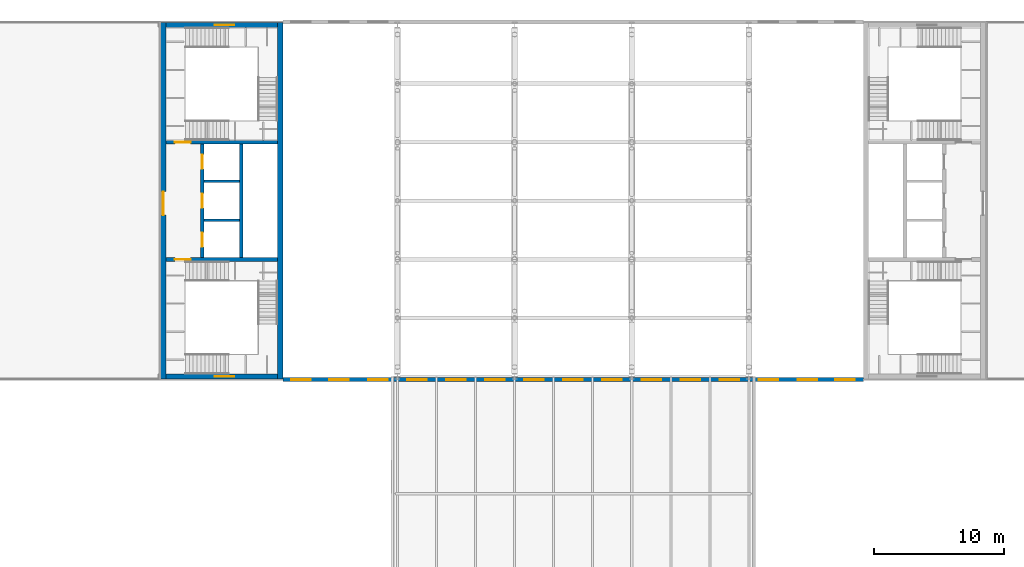
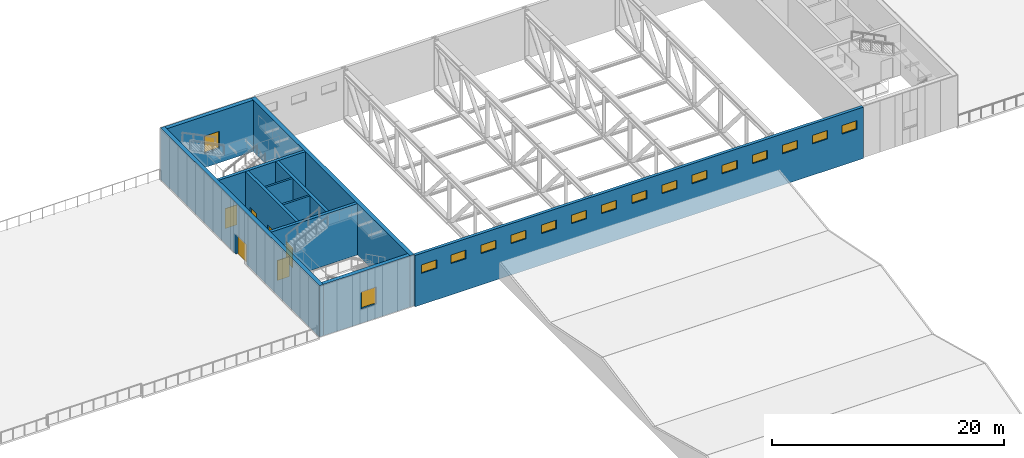
# One storey, part 21 of 29: 17 windows, 11 walls, 6 doors, 23 openings.
"""IFC4 building model written with IfcOpenShell, lengths in metres."""

from ifc_helpers import new_model, si_unit, direction, frame, frame_2d, origin, place, context, subcontext, project, spatial, rectangle, extrude, material, layer, layer_set, type_object, element, fill, save


model = new_model("IFC4")

# Units and contexts
model_context = context("Model", 3, precision=1e-05, world=origin(), true_north=direction((0.0, 1.0)))
body_context = subcontext(model_context, "Body", "Model", "MODEL_VIEW")
ifc_project = project(units=[si_unit("LENGTHUNIT", "METRE"), si_unit("AREAUNIT", "SQUARE_METRE"), si_unit("VOLUMEUNIT", "CUBIC_METRE"), si_unit("PLANEANGLEUNIT", "RADIAN"), si_unit("MASSUNIT", "GRAM", prefix="KILO")], contexts=[model_context])

# Site, building, storey
site_placement = place(None, origin())
site = spatial("IfcSite", under=ifc_project, at=site_placement, CompositionType="ELEMENT")
building_placement = place(site_placement, origin())
building = spatial("IfcBuilding", under=site, at=building_placement, Name="Azimuth Sports and Learning Centre", CompositionType="ELEMENT")
storey_placement = place(building_placement, frame((0.0, 0.0, 27.0)))
storey = spatial("IfcBuildingStorey", under=building, at=storey_placement, Name="L05", CompositionType="ELEMENT", Elevation=27.0)

# Walls
ifc_material_1 = material(Name="Dense masonry blockwork", Category="masonry")
ifc_layer_1 = layer(ifc_material_1, 0.199951171875)
ifc_layer_set_1 = layer_set([ifc_layer_1], Name="Dense masonry blockwork")
wall_type_1 = type_object("IfcWallType", Name="Blockwork wall 200 EI 120", PredefinedType="SOLIDWALL", material=ifc_layer_set_1)
for number, where, z_axis, x_axis, name in (
    (1, (57.14990234375, 102.0, 0.0), (0.0, 0.0, 1.0), (1.0, 0.0, 0.0), "SD-W-1-L05"),
    (2, (57.14990234375, 105.0, 0.0), (0.0, 0.0, 1.0), (1.0, 0.0, 0.0), "SD-W-2-L05"),
):
    element("IfcWall", number, at=place(storey_placement, frame(where, z_axis=z_axis, x_axis=x_axis)), inside=storey, type_object=wall_type_1, Name=name, PredefinedType="SOLIDWALL", context=body_context, shape_type="SweptSolid", body=[
        extrude(rectangle(XDim=2.7001953125, YDim=0.199951171875, at=frame_2d((1.35009765625, 0.0))), origin(), (0.0, 0.0, 1.0), 5.39990234375),
    ])

# Wall, openings, windows
ifc_material_2 = material(Name="Insulated cladding wall")
ifc_layer_2 = layer(ifc_material_2, 0.300048828125)
ifc_layer_set_2 = layer_set([ifc_layer_2], Name="Insulated cladding wall")
wall_type_2 = type_object("IfcWallType", Name="Hall cladding wall 300", PredefinedType="SOLIDWALL", material=ifc_layer_set_2)
wall_1_placement = place(storey_placement, frame((63.199951171875, 89.760009765625, 0.0), z_axis=(0.0, 0.0, 1.0), x_axis=(1.0, 0.0, 0.0)))
wall_1 = element("IfcWall", 3, at=wall_1_placement, inside=storey, type_object=wall_type_2, Name="Hall wall S-TT L05", PredefinedType="SOLIDWALL", context=body_context, shape_type="SweptSolid", body=[
    extrude(rectangle(XDim=44.60009765625, YDim=0.300048828125, at=frame_2d((22.300048828125, 0.0))), origin(), (0.0, 0.0, 1.0), 5.39990234375),
])
opening_1_placement = place(wall_1_placement, frame((0.64990234375, 0.0, 3.300048828125)))
opening_1 = element("IfcOpeningElement", 4, at=opening_1_placement, cuts=wall_1, Name="Opening W05-002", PredefinedType="OPENING", context=body_context, shape_type="SweptSolid", body=[
    extrude(rectangle(XDim=1.5, YDim=0.89990234375, at=frame_2d((0.75, 0.449951171875))), frame((0.0, 0.1611328125, 0.0), z_axis=(0.0, -1.0, 0.0), x_axis=(1.0, 0.0, 0.0)), (0.0, 0.0, 1.0), 0.322021484375),
])
opening_2_placement = place(wall_1_placement, frame((3.550048828125, 0.0, 3.300048828125)))
opening_2 = element("IfcOpeningElement", 5, at=opening_2_placement, cuts=wall_1, Name="Opening W05-003", PredefinedType="OPENING", context=body_context, shape_type="SweptSolid", body=[
    extrude(rectangle(XDim=1.5, YDim=0.89990234375, at=frame_2d((0.75, 0.449951171875))), frame((0.0, 0.1611328125, 0.0), z_axis=(0.0, -1.0, 0.0), x_axis=(1.0, 0.0, 0.0)), (0.0, 0.0, 1.0), 0.322021484375),
])
opening_3_placement = place(wall_1_placement, frame((6.550048828125, 0.0, 3.300048828125)))
opening_3 = element("IfcOpeningElement", 6, at=opening_3_placement, cuts=wall_1, Name="Opening W05-004", PredefinedType="OPENING", context=body_context, shape_type="SweptSolid", body=[
    extrude(rectangle(XDim=1.5, YDim=0.89990234375, at=frame_2d((0.75, 0.449951171875))), frame((0.0, 0.1611328125, 0.0), z_axis=(0.0, -1.0, 0.0), x_axis=(1.0, 0.0, 0.0)), (0.0, 0.0, 1.0), 0.322021484375),
])
opening_4_placement = place(wall_1_placement, frame((9.550048828125, 0.0, 3.300048828125)))
opening_4 = element("IfcOpeningElement", 7, at=opening_4_placement, cuts=wall_1, Name="Opening W05-005", PredefinedType="OPENING", context=body_context, shape_type="SweptSolid", body=[
    extrude(rectangle(XDim=1.5, YDim=0.89990234375, at=frame_2d((0.75, 0.449951171875))), frame((0.0, 0.1611328125, 0.0), z_axis=(0.0, -1.0, 0.0), x_axis=(1.0, 0.0, 0.0)), (0.0, 0.0, 1.0), 0.322021484375),
])
opening_5_placement = place(wall_1_placement, frame((12.550048828125, 0.0, 3.300048828125)))
opening_5 = element("IfcOpeningElement", 8, at=opening_5_placement, cuts=wall_1, Name="Opening W05-006", PredefinedType="OPENING", context=body_context, shape_type="SweptSolid", body=[
    extrude(rectangle(XDim=1.5, YDim=0.89990234375, at=frame_2d((0.75, 0.449951171875))), frame((0.0, 0.1611328125, 0.0), z_axis=(0.0, -1.0, 0.0), x_axis=(1.0, 0.0, 0.0)), (0.0, 0.0, 1.0), 0.322021484375),
])
opening_6_placement = place(wall_1_placement, frame((15.550048828125, 0.0, 3.300048828125)))
opening_6 = element("IfcOpeningElement", 9, at=opening_6_placement, cuts=wall_1, Name="Opening W05-007", PredefinedType="OPENING", context=body_context, shape_type="SweptSolid", body=[
    extrude(rectangle(XDim=1.5, YDim=0.89990234375, at=frame_2d((0.75, 0.449951171875))), frame((0.0, 0.1611328125, 0.0), z_axis=(0.0, -1.0, 0.0), x_axis=(1.0, 0.0, 0.0)), (0.0, 0.0, 1.0), 0.322021484375),
])
opening_7_placement = place(wall_1_placement, frame((18.550048828125, 0.0, 3.300048828125)))
opening_7 = element("IfcOpeningElement", 10, at=opening_7_placement, cuts=wall_1, Name="Opening W05-008", PredefinedType="OPENING", context=body_context, shape_type="SweptSolid", body=[
    extrude(rectangle(XDim=1.5, YDim=0.89990234375, at=frame_2d((0.75, 0.449951171875))), frame((0.0, 0.1611328125, 0.0), z_axis=(0.0, -1.0, 0.0), x_axis=(1.0, 0.0, 0.0)), (0.0, 0.0, 1.0), 0.322021484375),
])
opening_8_placement = place(wall_1_placement, frame((21.550048828125, 0.0, 3.300048828125)))
opening_8 = element("IfcOpeningElement", 11, at=opening_8_placement, cuts=wall_1, Name="Opening W05-009", PredefinedType="OPENING", context=body_context, shape_type="SweptSolid", body=[
    extrude(rectangle(XDim=1.5, YDim=0.89990234375, at=frame_2d((0.75, 0.449951171875))), frame((0.0, 0.1611328125, 0.0), z_axis=(0.0, -1.0, 0.0), x_axis=(1.0, 0.0, 0.0)), (0.0, 0.0, 1.0), 0.322021484375),
])
opening_9_placement = place(wall_1_placement, frame((24.550048828125, 0.0, 3.300048828125)))
opening_9 = element("IfcOpeningElement", 12, at=opening_9_placement, cuts=wall_1, Name="Opening W05-010", PredefinedType="OPENING", context=body_context, shape_type="SweptSolid", body=[
    extrude(rectangle(XDim=1.5, YDim=0.89990234375, at=frame_2d((0.75, 0.449951171875))), frame((0.0, 0.1611328125, 0.0), z_axis=(0.0, -1.0, 0.0), x_axis=(1.0, 0.0, 0.0)), (0.0, 0.0, 1.0), 0.322021484375),
])
opening_10_placement = place(wall_1_placement, frame((27.550048828125, 0.0, 3.300048828125)))
opening_10 = element("IfcOpeningElement", 13, at=opening_10_placement, cuts=wall_1, Name="Opening W05-011", PredefinedType="OPENING", context=body_context, shape_type="SweptSolid", body=[
    extrude(rectangle(XDim=1.5, YDim=0.89990234375, at=frame_2d((0.75, 0.449951171875))), frame((0.0, 0.1611328125, 0.0), z_axis=(0.0, -1.0, 0.0), x_axis=(1.0, 0.0, 0.0)), (0.0, 0.0, 1.0), 0.322021484375),
])
opening_11_placement = place(wall_1_placement, frame((30.550048828125, 0.0, 3.300048828125)))
opening_11 = element("IfcOpeningElement", 14, at=opening_11_placement, cuts=wall_1, Name="Opening W05-012", PredefinedType="OPENING", context=body_context, shape_type="SweptSolid", body=[
    extrude(rectangle(XDim=1.5, YDim=0.89990234375, at=frame_2d((0.75, 0.449951171875))), frame((0.0, 0.1611328125, 0.0), z_axis=(0.0, -1.0, 0.0), x_axis=(1.0, 0.0, 0.0)), (0.0, 0.0, 1.0), 0.322021484375),
])
opening_12_placement = place(wall_1_placement, frame((33.550048828125, 0.0, 3.300048828125)))
opening_12 = element("IfcOpeningElement", 15, at=opening_12_placement, cuts=wall_1, Name="Opening W05-013", PredefinedType="OPENING", context=body_context, shape_type="SweptSolid", body=[
    extrude(rectangle(XDim=1.5, YDim=0.89990234375, at=frame_2d((0.75, 0.449951171875))), frame((0.0, 0.1611328125, 0.0), z_axis=(0.0, -1.0, 0.0), x_axis=(1.0, 0.0, 0.0)), (0.0, 0.0, 1.0), 0.322021484375),
])
opening_13_placement = place(wall_1_placement, frame((36.550048828125, 0.0, 3.300048828125)))
opening_13 = element("IfcOpeningElement", 16, at=opening_13_placement, cuts=wall_1, Name="Opening W05-014", PredefinedType="OPENING", context=body_context, shape_type="SweptSolid", body=[
    extrude(rectangle(XDim=1.5, YDim=0.89990234375, at=frame_2d((0.75, 0.449951171875))), frame((0.0, 0.1611328125, 0.0), z_axis=(0.0, -1.0, 0.0), x_axis=(1.0, 0.0, 0.0)), (0.0, 0.0, 1.0), 0.322021484375),
])
opening_14_placement = place(wall_1_placement, frame((39.550048828125, 0.0, 3.300048828125)))
opening_14 = element("IfcOpeningElement", 17, at=opening_14_placement, cuts=wall_1, Name="Opening W05-015", PredefinedType="OPENING", context=body_context, shape_type="SweptSolid", body=[
    extrude(rectangle(XDim=1.5, YDim=0.89990234375, at=frame_2d((0.75, 0.449951171875))), frame((0.0, 0.1611328125, 0.0), z_axis=(0.0, -1.0, 0.0), x_axis=(1.0, 0.0, 0.0)), (0.0, 0.0, 1.0), 0.322021484375),
])
opening_15_placement = place(wall_1_placement, frame((42.449951171875, 0.0, 3.300048828125)))
opening_15 = element("IfcOpeningElement", 18, at=opening_15_placement, cuts=wall_1, Name="Opening W05-016", PredefinedType="OPENING", context=body_context, shape_type="SweptSolid", body=[
    extrude(rectangle(XDim=1.5, YDim=0.89990234375, at=frame_2d((0.75, 0.449951171875))), frame((0.0, 0.1611328125, 0.0), z_axis=(0.0, -1.0, 0.0), x_axis=(1.0, 0.0, 0.0)), (0.0, 0.0, 1.0), 0.322021484375),
])
ifc_material_3 = material(Name="Aluminium and glass", Category="aluminium")
window_type_1 = type_object("IfcWindowType", Name="Transfer truss level vent window 1500x900", PartitioningType="SINGLE_PANEL", PredefinedType="WINDOW", material=ifc_material_3)
window_1_placement = place(opening_1_placement, origin())
window_1 = element("IfcWindow", 19, at=window_1_placement, inside=storey, type_object=window_type_1, Name="Window W05-002", OverallHeight=0.89990234375, OverallWidth=1.5, PartitioningType="SINGLE_PANEL", PredefinedType="WINDOW", context=body_context, shape_type="SweptSolid", body=[
    extrude(rectangle(XDim=1.5, YDim=0.89990234375, at=frame_2d((0.75, 0.449951171875))), frame((0.0, 0.030029296875, 0.0), z_axis=(0.0, -1.0, 0.0), x_axis=(1.0, 0.0, 0.0)), (0.0, 0.0, 1.0), 0.06005859375),
])
fill(opening_1, window_1)
window_2_placement = place(opening_2_placement, origin())
window_2 = element("IfcWindow", 20, at=window_2_placement, inside=storey, type_object=window_type_1, Name="Window W05-003", OverallHeight=0.89990234375, OverallWidth=1.5, PartitioningType="SINGLE_PANEL", PredefinedType="WINDOW", context=body_context, shape_type="SweptSolid", body=[
    extrude(rectangle(XDim=1.5, YDim=0.89990234375, at=frame_2d((0.75, 0.449951171875))), frame((0.0, 0.030029296875, 0.0), z_axis=(0.0, -1.0, 0.0), x_axis=(1.0, 0.0, 0.0)), (0.0, 0.0, 1.0), 0.06005859375),
])
fill(opening_2, window_2)
window_3_placement = place(opening_3_placement, origin())
window_3 = element("IfcWindow", 21, at=window_3_placement, inside=storey, type_object=window_type_1, Name="Window W05-004", OverallHeight=0.89990234375, OverallWidth=1.5, PartitioningType="SINGLE_PANEL", PredefinedType="WINDOW", context=body_context, shape_type="SweptSolid", body=[
    extrude(rectangle(XDim=1.5, YDim=0.89990234375, at=frame_2d((0.75, 0.449951171875))), frame((0.0, 0.030029296875, 0.0), z_axis=(0.0, -1.0, 0.0), x_axis=(1.0, 0.0, 0.0)), (0.0, 0.0, 1.0), 0.06005859375),
])
fill(opening_3, window_3)
window_4_placement = place(opening_4_placement, origin())
window_4 = element("IfcWindow", 22, at=window_4_placement, inside=storey, type_object=window_type_1, Name="Window W05-005", OverallHeight=0.89990234375, OverallWidth=1.5, PartitioningType="SINGLE_PANEL", PredefinedType="WINDOW", context=body_context, shape_type="SweptSolid", body=[
    extrude(rectangle(XDim=1.5, YDim=0.89990234375, at=frame_2d((0.75, 0.449951171875))), frame((0.0, 0.030029296875, 0.0), z_axis=(0.0, -1.0, 0.0), x_axis=(1.0, 0.0, 0.0)), (0.0, 0.0, 1.0), 0.06005859375),
])
fill(opening_4, window_4)
window_5_placement = place(opening_5_placement, origin())
window_5 = element("IfcWindow", 23, at=window_5_placement, inside=storey, type_object=window_type_1, Name="Window W05-006", OverallHeight=0.89990234375, OverallWidth=1.5, PartitioningType="SINGLE_PANEL", PredefinedType="WINDOW", context=body_context, shape_type="SweptSolid", body=[
    extrude(rectangle(XDim=1.5, YDim=0.89990234375, at=frame_2d((0.75, 0.449951171875))), frame((0.0, 0.030029296875, 0.0), z_axis=(0.0, -1.0, 0.0), x_axis=(1.0, 0.0, 0.0)), (0.0, 0.0, 1.0), 0.06005859375),
])
fill(opening_5, window_5)
window_6_placement = place(opening_6_placement, origin())
window_6 = element("IfcWindow", 24, at=window_6_placement, inside=storey, type_object=window_type_1, Name="Window W05-007", OverallHeight=0.89990234375, OverallWidth=1.5, PartitioningType="SINGLE_PANEL", PredefinedType="WINDOW", context=body_context, shape_type="SweptSolid", body=[
    extrude(rectangle(XDim=1.5, YDim=0.89990234375, at=frame_2d((0.75, 0.449951171875))), frame((0.0, 0.030029296875, 0.0), z_axis=(0.0, -1.0, 0.0), x_axis=(1.0, 0.0, 0.0)), (0.0, 0.0, 1.0), 0.06005859375),
])
fill(opening_6, window_6)
window_7_placement = place(opening_7_placement, origin())
window_7 = element("IfcWindow", 25, at=window_7_placement, inside=storey, type_object=window_type_1, Name="Window W05-008", OverallHeight=0.89990234375, OverallWidth=1.5, PartitioningType="SINGLE_PANEL", PredefinedType="WINDOW", context=body_context, shape_type="SweptSolid", body=[
    extrude(rectangle(XDim=1.5, YDim=0.89990234375, at=frame_2d((0.75, 0.449951171875))), frame((0.0, 0.030029296875, 0.0), z_axis=(0.0, -1.0, 0.0), x_axis=(1.0, 0.0, 0.0)), (0.0, 0.0, 1.0), 0.06005859375),
])
fill(opening_7, window_7)
window_8_placement = place(opening_8_placement, origin())
window_8 = element("IfcWindow", 26, at=window_8_placement, inside=storey, type_object=window_type_1, Name="Window W05-009", OverallHeight=0.89990234375, OverallWidth=1.5, PartitioningType="SINGLE_PANEL", PredefinedType="WINDOW", context=body_context, shape_type="SweptSolid", body=[
    extrude(rectangle(XDim=1.5, YDim=0.89990234375, at=frame_2d((0.75, 0.449951171875))), frame((0.0, 0.030029296875, 0.0), z_axis=(0.0, -1.0, 0.0), x_axis=(1.0, 0.0, 0.0)), (0.0, 0.0, 1.0), 0.06005859375),
])
fill(opening_8, window_8)
window_9_placement = place(opening_9_placement, origin())
window_9 = element("IfcWindow", 27, at=window_9_placement, inside=storey, type_object=window_type_1, Name="Window W05-010", OverallHeight=0.89990234375, OverallWidth=1.5, PartitioningType="SINGLE_PANEL", PredefinedType="WINDOW", context=body_context, shape_type="SweptSolid", body=[
    extrude(rectangle(XDim=1.5, YDim=0.89990234375, at=frame_2d((0.75, 0.449951171875))), frame((0.0, 0.030029296875, 0.0), z_axis=(0.0, -1.0, 0.0), x_axis=(1.0, 0.0, 0.0)), (0.0, 0.0, 1.0), 0.06005859375),
])
fill(opening_9, window_9)
window_10_placement = place(opening_10_placement, origin())
window_10 = element("IfcWindow", 28, at=window_10_placement, inside=storey, type_object=window_type_1, Name="Window W05-011", OverallHeight=0.89990234375, OverallWidth=1.5, PartitioningType="SINGLE_PANEL", PredefinedType="WINDOW", context=body_context, shape_type="SweptSolid", body=[
    extrude(rectangle(XDim=1.5, YDim=0.89990234375, at=frame_2d((0.75, 0.449951171875))), frame((0.0, 0.030029296875, 0.0), z_axis=(0.0, -1.0, 0.0), x_axis=(1.0, 0.0, 0.0)), (0.0, 0.0, 1.0), 0.06005859375),
])
fill(opening_10, window_10)
window_11_placement = place(opening_11_placement, origin())
window_11 = element("IfcWindow", 29, at=window_11_placement, inside=storey, type_object=window_type_1, Name="Window W05-012", OverallHeight=0.89990234375, OverallWidth=1.5, PartitioningType="SINGLE_PANEL", PredefinedType="WINDOW", context=body_context, shape_type="SweptSolid", body=[
    extrude(rectangle(XDim=1.5, YDim=0.89990234375, at=frame_2d((0.75, 0.449951171875))), frame((0.0, 0.030029296875, 0.0), z_axis=(0.0, -1.0, 0.0), x_axis=(1.0, 0.0, 0.0)), (0.0, 0.0, 1.0), 0.06005859375),
])
fill(opening_11, window_11)
window_12_placement = place(opening_12_placement, origin())
window_12 = element("IfcWindow", 30, at=window_12_placement, inside=storey, type_object=window_type_1, Name="Window W05-013", OverallHeight=0.89990234375, OverallWidth=1.5, PartitioningType="SINGLE_PANEL", PredefinedType="WINDOW", context=body_context, shape_type="SweptSolid", body=[
    extrude(rectangle(XDim=1.5, YDim=0.89990234375, at=frame_2d((0.75, 0.449951171875))), frame((0.0, 0.030029296875, 0.0), z_axis=(0.0, -1.0, 0.0), x_axis=(1.0, 0.0, 0.0)), (0.0, 0.0, 1.0), 0.06005859375),
])
fill(opening_12, window_12)
window_13_placement = place(opening_13_placement, origin())
window_13 = element("IfcWindow", 31, at=window_13_placement, inside=storey, type_object=window_type_1, Name="Window W05-014", OverallHeight=0.89990234375, OverallWidth=1.5, PartitioningType="SINGLE_PANEL", PredefinedType="WINDOW", context=body_context, shape_type="SweptSolid", body=[
    extrude(rectangle(XDim=1.5, YDim=0.89990234375, at=frame_2d((0.75, 0.449951171875))), frame((0.0, 0.030029296875, 0.0), z_axis=(0.0, -1.0, 0.0), x_axis=(1.0, 0.0, 0.0)), (0.0, 0.0, 1.0), 0.06005859375),
])
fill(opening_13, window_13)
window_14_placement = place(opening_14_placement, origin())
window_14 = element("IfcWindow", 32, at=window_14_placement, inside=storey, type_object=window_type_1, Name="Window W05-015", OverallHeight=0.89990234375, OverallWidth=1.5, PartitioningType="SINGLE_PANEL", PredefinedType="WINDOW", context=body_context, shape_type="SweptSolid", body=[
    extrude(rectangle(XDim=1.5, YDim=0.89990234375, at=frame_2d((0.75, 0.449951171875))), frame((0.0, 0.030029296875, 0.0), z_axis=(0.0, -1.0, 0.0), x_axis=(1.0, 0.0, 0.0)), (0.0, 0.0, 1.0), 0.06005859375),
])
fill(opening_14, window_14)
window_15_placement = place(opening_15_placement, origin())
window_15 = element("IfcWindow", 33, at=window_15_placement, inside=storey, type_object=window_type_1, Name="Window W05-016", OverallHeight=0.89990234375, OverallWidth=1.5, PartitioningType="SINGLE_PANEL", PredefinedType="WINDOW", context=body_context, shape_type="SweptSolid", body=[
    extrude(rectangle(XDim=1.5, YDim=0.89990234375, at=frame_2d((0.75, 0.449951171875))), frame((0.0, 0.030029296875, 0.0), z_axis=(0.0, -1.0, 0.0), x_axis=(1.0, 0.0, 0.0)), (0.0, 0.0, 1.0), 0.06005859375),
])
fill(opening_15, window_15)

# Wall, opening, door
ifc_material_4 = material(Name="Concrete C40/50", Category="concrete")
ifc_layer_3 = layer(ifc_material_4, 0.300048828125)
ifc_layer_set_3 = layer_set([ifc_layer_3], Name="Concrete C40/50")
wall_type_3 = type_object("IfcWallType", Name="RC core wall 300", PredefinedType="SHEAR", material=ifc_layer_set_3)
wall_2_placement = place(storey_placement, frame((54.199951171875, 99.0, 0.0), z_axis=(0.0, 0.0, 1.0), x_axis=(1.0, 0.0, 0.0)))
wall_2 = element("IfcWall", 34, at=wall_2_placement, inside=storey, type_object=wall_type_3, Name="Core wall W D1 L05", PredefinedType="SHEAR", context=body_context, shape_type="SweptSolid", body=[
    extrude(rectangle(XDim=8.60009765625, YDim=0.300048828125, at=frame_2d((4.300048828125, 0.0))), origin(), (0.0, 0.0, 1.0), 5.39990234375),
])
opening_16_placement = place(wall_2_placement, frame((0.699951171875, 0.0, 0.0)))
opening_16 = element("IfcOpeningElement", 35, at=opening_16_placement, cuts=wall_2, Name="Opening D05-003", PredefinedType="OPENING", context=body_context, shape_type="SweptSolid", body=[
    extrude(rectangle(XDim=1.199951171875, YDim=2.10009765625, at=frame_2d((0.60009765625, 1.050048828125))), frame((0.0, 0.1611328125, 0.0), z_axis=(0.0, -1.0, 0.0), x_axis=(1.0, 0.0, 0.0)), (0.0, 0.0, 1.0), 0.322021484375),
])
ifc_material_5 = material(Name="Steel", Category="steel")
door_type_1 = type_object("IfcDoorType", Name="Stair fire door 1200 x 2100", OperationType="NOTDEFINED", PredefinedType="DOOR", material=ifc_material_5)
door_1_placement = place(opening_16_placement, origin())
door_1 = element("IfcDoor", 36, at=door_1_placement, inside=storey, type_object=door_type_1, Name="Stair door W1 L05", OperationType="SINGLE_SWING_LEFT", OverallHeight=2.10009765625, OverallWidth=1.199951171875, PredefinedType="DOOR", context=body_context, shape_type="SweptSolid", body=[
    extrude(rectangle(XDim=1.199951171875, YDim=2.10009765625, at=frame_2d((0.60009765625, 1.050048828125))), frame((0.0, 0.02490234375, 0.0), z_axis=(0.0, -1.0, 0.0), x_axis=(1.0, 0.0, 0.0)), (0.0, 0.0, 1.0), 0.050048828125),
])
fill(opening_16, door_1)

wall_3_placement = place(storey_placement, frame((54.199951171875, 108.0, 0.0), z_axis=(0.0, 0.0, 1.0), x_axis=(1.0, 0.0, 0.0)))
wall_3 = element("IfcWall", 37, at=wall_3_placement, inside=storey, type_object=wall_type_3, Name="Core wall W D2 L05", PredefinedType="SHEAR", context=body_context, shape_type="SweptSolid", body=[
    extrude(rectangle(XDim=8.60009765625, YDim=0.300048828125, at=frame_2d((4.300048828125, 0.0))), origin(), (0.0, 0.0, 1.0), 5.39990234375),
])
opening_17_placement = place(wall_3_placement, frame((0.699951171875, 0.0, 0.0)))
opening_17 = element("IfcOpeningElement", 38, at=opening_17_placement, cuts=wall_3, Name="Opening D05-004", PredefinedType="OPENING", context=body_context, shape_type="SweptSolid", body=[
    extrude(rectangle(XDim=1.199951171875, YDim=2.10009765625, at=frame_2d((0.60009765625, 1.050048828125))), frame((0.0, 0.1611328125, 0.0), z_axis=(0.0, -1.0, 0.0), x_axis=(1.0, 0.0, 0.0)), (0.0, 0.0, 1.0), 0.322021484375),
])
door_2_placement = place(opening_17_placement, frame((1.199951171875, 0.0, 0.0), z_axis=(0.0, 0.0, 1.0), x_axis=(-1.0, 0.0, 0.0)))
door_2 = element("IfcDoor", 39, at=door_2_placement, inside=storey, type_object=door_type_1, Name="Stair door W2 L05", OperationType="SINGLE_SWING_RIGHT", OverallHeight=2.10009765625, OverallWidth=1.199951171875, PredefinedType="DOOR", context=body_context, shape_type="SweptSolid", body=[
    extrude(rectangle(XDim=1.199951171875, YDim=2.10009765625, at=frame_2d((0.60009765625, 1.050048828125))), frame((0.0, 0.02490234375, 0.0), z_axis=(0.0, -1.0, 0.0), x_axis=(1.0, 0.0, 0.0)), (0.0, 0.0, 1.0), 0.050048828125),
])
fill(opening_17, door_2)

# Wall, openings, doors
wall_4_placement = place(storey_placement, frame((57.0, 99.14990234375, 0.0), z_axis=(0.0, 0.0, 1.0), x_axis=(0.0, 1.0, 0.0)))
wall_4 = element("IfcWall", 40, at=wall_4_placement, inside=storey, type_object=wall_type_3, Name="Core wall W LB1 L05", PredefinedType="SHEAR", context=body_context, shape_type="SweptSolid", body=[
    extrude(rectangle(XDim=8.7001953125, YDim=0.300048828125, at=frame_2d((4.35009765625, 0.0))), origin(), (0.0, 0.0, 1.0), 5.39990234375),
])
opening_18_placement = place(wall_4_placement, frame((0.800048828125, 0.0, 0.0)))
opening_18 = element("IfcOpeningElement", 41, at=opening_18_placement, cuts=wall_4, Name="Opening D05-007", PredefinedType="OPENING", context=body_context, shape_type="SweptSolid", body=[
    extrude(rectangle(XDim=1.10009765625, YDim=2.10009765625, at=frame_2d((0.550048828125, 1.050048828125))), frame((0.0, 0.1611328125, 0.0), z_axis=(0.0, -1.0, 0.0), x_axis=(1.0, 0.0, 0.0)), (0.0, 0.0, 1.0), 0.322021484375),
])
opening_19_placement = place(wall_4_placement, frame((3.800048828125, 0.0, 0.0)))
opening_19 = element("IfcOpeningElement", 42, at=opening_19_placement, cuts=wall_4, Name="Opening D05-008", PredefinedType="OPENING", context=body_context, shape_type="SweptSolid", body=[
    extrude(rectangle(XDim=1.10009765625, YDim=2.10009765625, at=frame_2d((0.550048828125, 1.050048828125))), frame((0.0, 0.1611328125, 0.0), z_axis=(0.0, -1.0, 0.0), x_axis=(1.0, 0.0, 0.0)), (0.0, 0.0, 1.0), 0.322021484375),
])
opening_20_placement = place(wall_4_placement, frame((6.800048828125, 0.0, 0.0)))
opening_20 = element("IfcOpeningElement", 43, at=opening_20_placement, cuts=wall_4, Name="Opening D05-009", PredefinedType="OPENING", context=body_context, shape_type="SweptSolid", body=[
    extrude(rectangle(XDim=1.10009765625, YDim=2.10009765625, at=frame_2d((0.550048828125, 1.050048828125))), frame((0.0, 0.1611328125, 0.0), z_axis=(0.0, -1.0, 0.0), x_axis=(1.0, 0.0, 0.0)), (0.0, 0.0, 1.0), 0.322021484375),
])
ifc_material_6 = material(Name="Stainless steel", Category="steel")
door_type_2 = type_object("IfcDoorType", Name="Lift landing door 1100 x 2100", OperationType="DOUBLE_DOOR_SLIDING", PredefinedType="DOOR", material=ifc_material_6)
door_3_placement = place(opening_18_placement, origin())
door_3 = element("IfcDoor", 44, at=door_3_placement, inside=storey, type_object=door_type_2, Name="Landing door LW1 L05", OperationType="DOUBLE_DOOR_SLIDING", OverallHeight=2.10009765625, OverallWidth=1.10009765625, PredefinedType="DOOR", context=body_context, shape_type="SweptSolid", body=[
    extrude(rectangle(XDim=1.10009765625, YDim=2.10009765625, at=frame_2d((0.550048828125, 1.050048828125))), frame((0.0, 0.02490234375, 0.0), z_axis=(0.0, -1.0, 0.0), x_axis=(1.0, 0.0, 0.0)), (0.0, 0.0, 1.0), 0.050048828125),
])
fill(opening_18, door_3)
door_4_placement = place(opening_19_placement, origin())
door_4 = element("IfcDoor", 45, at=door_4_placement, inside=storey, type_object=door_type_2, Name="Landing door LW2 L05", OperationType="DOUBLE_DOOR_SLIDING", OverallHeight=2.10009765625, OverallWidth=1.10009765625, PredefinedType="DOOR", context=body_context, shape_type="SweptSolid", body=[
    extrude(rectangle(XDim=1.10009765625, YDim=2.10009765625, at=frame_2d((0.550048828125, 1.050048828125))), frame((0.0, 0.02490234375, 0.0), z_axis=(0.0, -1.0, 0.0), x_axis=(1.0, 0.0, 0.0)), (0.0, 0.0, 1.0), 0.050048828125),
])
fill(opening_19, door_4)
door_5_placement = place(opening_20_placement, origin())
door_5 = element("IfcDoor", 46, at=door_5_placement, inside=storey, type_object=door_type_2, Name="Landing door LW3 L05", OperationType="DOUBLE_DOOR_SLIDING", OverallHeight=2.10009765625, OverallWidth=1.10009765625, PredefinedType="DOOR", context=body_context, shape_type="SweptSolid", body=[
    extrude(rectangle(XDim=1.10009765625, YDim=2.10009765625, at=frame_2d((0.550048828125, 1.050048828125))), frame((0.0, 0.02490234375, 0.0), z_axis=(0.0, -1.0, 0.0), x_axis=(1.0, 0.0, 0.0)), (0.0, 0.0, 1.0), 0.050048828125),
])
fill(opening_20, door_5)

# Walls
wall_5_placement = place(storey_placement, frame((60.0, 99.14990234375, 0.0), z_axis=(0.0, 0.0, 1.0), x_axis=(0.0, 1.0, 0.0)))
element("IfcWall", 47, at=wall_5_placement, inside=storey, type_object=wall_type_3, Name="Core wall W LB2 L05", PredefinedType="SHEAR", context=body_context, shape_type="SweptSolid", body=[
    extrude(rectangle(XDim=8.7001953125, YDim=0.300048828125, at=frame_2d((4.35009765625, 0.0))), origin(), (0.0, 0.0, 1.0), 5.39990234375),
])
ifc_material_7 = material(Name="Concrete C40/50", Category="concrete")
ifc_layer_4 = layer(ifc_material_7, 0.39990234375)
ifc_layer_set_4 = layer_set([ifc_layer_4], Name="Concrete C40/50")
wall_type_4 = type_object("IfcWallType", Name="RC core wall 400", PredefinedType="SHEAR", material=ifc_layer_set_4)
wall_6_placement = place(storey_placement, frame((63.0, 89.800048828125, 0.0), z_axis=(0.0, 0.0, 1.0), x_axis=(0.0, 1.0, 0.0)))
element("IfcWall", 48, at=wall_6_placement, inside=storey, type_object=wall_type_4, Name="Core wall W E L05", PredefinedType="SHEAR", context=body_context, shape_type="SweptSolid", body=[
    extrude(rectangle(XDim=27.39990234375, YDim=0.39990234375, at=frame_2d((13.699951171875, 0.0))), origin(), (0.0, 0.0, 1.0), 5.39990234375),
])

# Wall, opening, window
ifc_material_8 = material(Name="Concrete C40/50", Category="concrete")
ifc_layer_5 = layer(ifc_material_8, 0.39990234375)
ifc_layer_set_5 = layer_set([ifc_layer_5], Name="Concrete C40/50")
wall_type_5 = type_object("IfcWallType", Name="RC external core wall 400", PredefinedType="SHEAR", material=ifc_layer_set_5)
wall_7_placement = place(storey_placement, frame((54.199951171875, 90.0, 0.0), z_axis=(0.0, 0.0, 1.0), x_axis=(1.0, 0.0, 0.0)))
wall_7 = element("IfcWall", 49, at=wall_7_placement, inside=storey, type_object=wall_type_5, Name="Core wall W S L05", PredefinedType="SHEAR", context=body_context, shape_type="SweptSolid", body=[
    extrude(rectangle(XDim=8.60009765625, YDim=0.39990234375, at=frame_2d((4.300048828125, 0.0))), origin(), (0.0, 0.0, 1.0), 5.39990234375),
])
opening_21_placement = place(wall_7_placement, frame((3.75, 0.0, 1.5)))
opening_21 = element("IfcOpeningElement", 50, at=opening_21_placement, cuts=wall_7, Name="Opening W05-001", PredefinedType="OPENING", context=body_context, shape_type="SweptSolid", body=[
    extrude(rectangle(XDim=1.5, YDim=1.800048828125, at=frame_2d((0.75, 0.89990234375))), frame((0.0, 0.2109375, 0.0), z_axis=(0.0, -1.0, 0.0), x_axis=(1.0, 0.0, 0.0)), (0.0, 0.0, 1.0), 0.421875),
])
ifc_material_9 = material(Name="Aluminium and glass", Category="aluminium")
window_type_2 = type_object("IfcWindowType", Name="Stair window sky lobby level 1500x1800", PartitioningType="SINGLE_PANEL", PredefinedType="WINDOW", material=ifc_material_9)
window_16_placement = place(opening_21_placement, origin())
window_16 = element("IfcWindow", 51, at=window_16_placement, inside=storey, type_object=window_type_2, Name="Window W05-001", OverallHeight=1.800048828125, OverallWidth=1.5, PartitioningType="SINGLE_PANEL", PredefinedType="WINDOW", context=body_context, shape_type="SweptSolid", body=[
    extrude(rectangle(XDim=1.5, YDim=1.800048828125, at=frame_2d((0.75, 0.89990234375))), frame((0.0, 0.030029296875, 0.0), z_axis=(0.0, -1.0, 0.0), x_axis=(1.0, 0.0, 0.0)), (0.0, 0.0, 1.0), 0.06005859375),
])
fill(opening_21, window_16)

wall_8_placement = place(storey_placement, frame((54.199951171875, 117.0, 0.0), z_axis=(0.0, 0.0, 1.0), x_axis=(1.0, 0.0, 0.0)))
wall_8 = element("IfcWall", 52, at=wall_8_placement, inside=storey, type_object=wall_type_5, Name="Core wall W N L05", PredefinedType="SHEAR", context=body_context, shape_type="SweptSolid", body=[
    extrude(rectangle(XDim=8.60009765625, YDim=0.39990234375, at=frame_2d((4.300048828125, 0.0))), origin(), (0.0, 0.0, 1.0), 5.39990234375),
])
opening_22_placement = place(wall_8_placement, frame((3.75, 0.0, 1.5)))
opening_22 = element("IfcOpeningElement", 53, at=opening_22_placement, cuts=wall_8, Name="Opening W05-025", PredefinedType="OPENING", context=body_context, shape_type="SweptSolid", body=[
    extrude(rectangle(XDim=1.5, YDim=1.800048828125, at=frame_2d((0.75, 0.89990234375))), frame((0.0, 0.2109375, 0.0), z_axis=(0.0, -1.0, 0.0), x_axis=(1.0, 0.0, 0.0)), (0.0, 0.0, 1.0), 0.421875),
])
window_17_placement = place(opening_22_placement, origin())
window_17 = element("IfcWindow", 54, at=window_17_placement, inside=storey, type_object=window_type_2, Name="Window W05-025", OverallHeight=1.800048828125, OverallWidth=1.5, PartitioningType="SINGLE_PANEL", PredefinedType="WINDOW", context=body_context, shape_type="SweptSolid", body=[
    extrude(rectangle(XDim=1.5, YDim=1.800048828125, at=frame_2d((0.75, 0.89990234375))), frame((0.0, 0.030029296875, 0.0), z_axis=(0.0, -1.0, 0.0), x_axis=(1.0, 0.0, 0.0)), (0.0, 0.0, 1.0), 0.06005859375),
])
fill(opening_22, window_17)

# Wall, opening, door
wall_9_placement = place(storey_placement, frame((54.0, 89.800048828125, 0.0), z_axis=(0.0, 0.0, 1.0), x_axis=(0.0, 1.0, 0.0)))
wall_9 = element("IfcWall", 55, at=wall_9_placement, inside=storey, type_object=wall_type_5, Name="Core wall W W L05", PredefinedType="SHEAR", context=body_context, shape_type="SweptSolid", body=[
    extrude(rectangle(XDim=27.39990234375, YDim=0.39990234375, at=frame_2d((13.699951171875, 0.0))), origin(), (0.0, 0.0, 1.0), 5.39990234375),
])
opening_23_placement = place(wall_9_placement, frame((12.60009765625, 0.0, 0.0)))
opening_23 = element("IfcOpeningElement", 56, at=opening_23_placement, cuts=wall_9, Name="Opening D05-001", PredefinedType="OPENING", context=body_context, shape_type="SweptSolid", body=[
    extrude(rectangle(XDim=1.800048828125, YDim=2.10009765625, at=frame_2d((0.89990234375, 1.050048828125))), frame((0.0, 0.2109375, 0.0), z_axis=(0.0, -1.0, 0.0), x_axis=(1.0, 0.0, 0.0)), (0.0, 0.0, 1.0), 0.421875),
])
ifc_material_10 = material(Name="Steel", Category="steel")
door_type_3 = type_object("IfcDoorType", Name="Exterior door double leaf 1800x2100 FD60", OperationType="DOUBLE_DOOR_DOUBLE_SWING", PredefinedType="DOOR", material=ifc_material_10)
door_6_placement = place(opening_23_placement, origin())
door_6 = element("IfcDoor", 57, at=door_6_placement, inside=storey, type_object=door_type_3, Name="Exterior door D05-001", OperationType="DOUBLE_DOOR_DOUBLE_SWING", OverallHeight=2.10009765625, OverallWidth=1.800048828125, PredefinedType="DOOR", context=body_context, shape_type="SweptSolid", body=[
    extrude(rectangle(XDim=1.800048828125, YDim=2.10009765625, at=frame_2d((0.89990234375, 1.050048828125))), frame((0.0, 0.02490234375, 0.0), z_axis=(0.0, -1.0, 0.0), x_axis=(1.0, 0.0, 0.0)), (0.0, 0.0, 1.0), 0.050048828125),
])
fill(opening_23, door_6)

save(model, "model.ifc")
